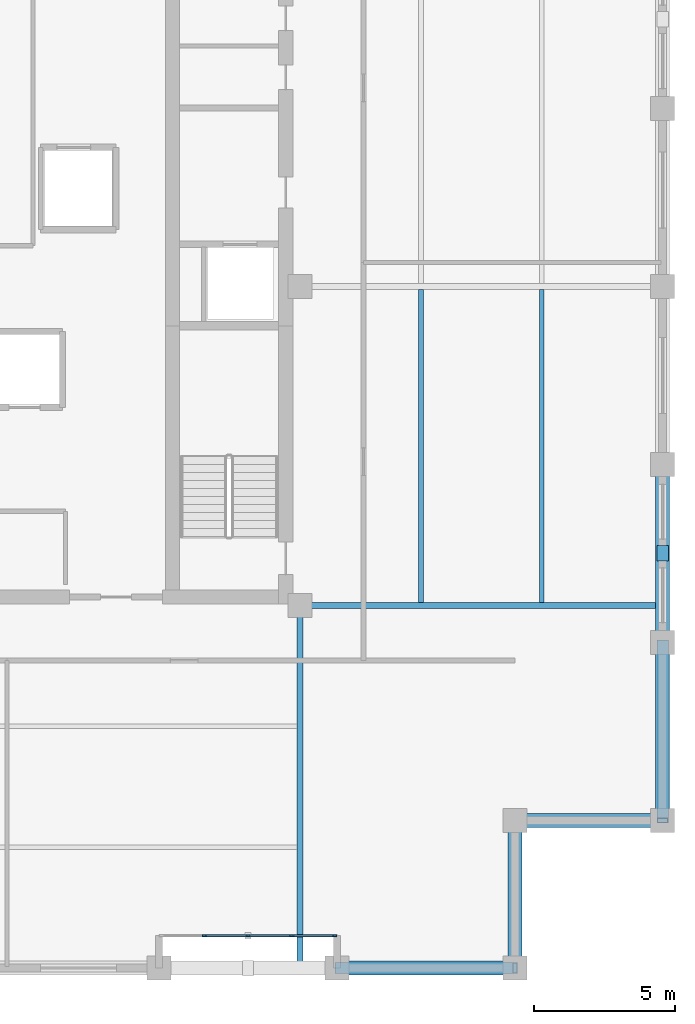
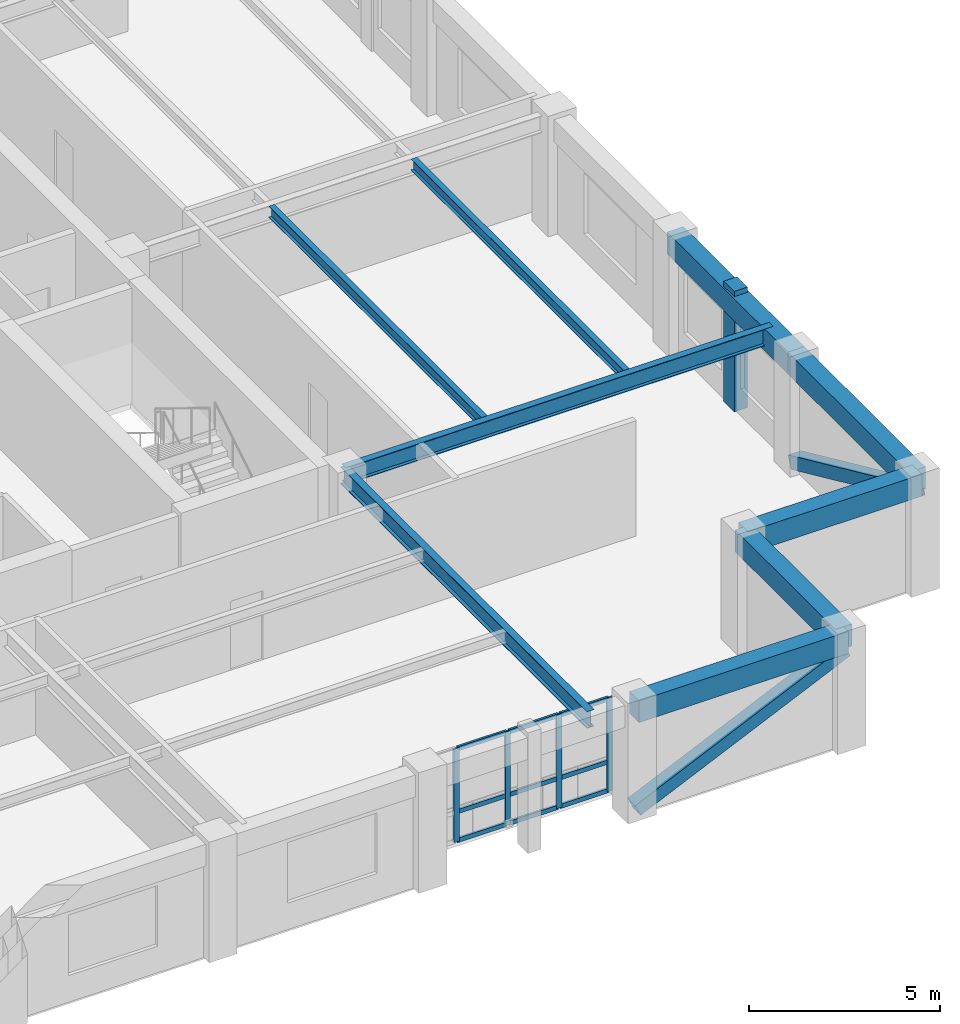
# One storey, part 4 of 10: 16 members, 9 beams, 1 element without a shape of its own.
"""IFC4 building model written with IfcOpenShell, lengths in metres."""

from ifc_helpers import new_model, si_unit, direction, frame, origin, origin_2d, place, context, subcontext, project, spatial, rectangle, hollow_rectangle, i_section, extrude, material, layer, layer_set, material_profile, profile_set, type_object, element, aggregate, save


model = new_model("IFC4")

# Units and contexts
model_context = context("Model", 3, precision=1e-05, world=origin(), true_north=direction((0.0, 1.0)))
body_context = subcontext(model_context, "Body", "Model", "MODEL_VIEW")
ifc_project = project(units=[si_unit("LENGTHUNIT", "METRE"), si_unit("AREAUNIT", "SQUARE_METRE"), si_unit("VOLUMEUNIT", "CUBIC_METRE"), si_unit("PLANEANGLEUNIT", "RADIAN"), si_unit("MASSUNIT", "GRAM", prefix="KILO")], contexts=[model_context])

# Site, building, storey
site_placement = place(None, origin())
site = spatial("IfcSite", under=ifc_project, at=site_placement, CompositionType="ELEMENT")
building_placement = place(site_placement, origin())
building = spatial("IfcBuilding", under=site, at=building_placement, Name="Nhamokura Convention Tower", CompositionType="ELEMENT")
storey_placement = place(building_placement, frame((0.0, 0.0, 210.0)))
storey = spatial("IfcBuildingStorey", under=building, at=storey_placement, Name="L51", CompositionType="ELEMENT", Elevation=210.0)

# Member
ifc_material_1 = material(Name="Bronze-pigmented precast concrete C45/55", Category="concrete")
ifc_material_profile_1 = material_profile(ifc_material_1, rectangle(XDim=0.39990234375, YDim=0.550048828125, at=origin_2d()))
ifc_profile_set_1 = profile_set([ifc_material_profile_1], Name="Bronze-pigmented precast concrete C45/55")
member_type_1 = type_object("IfcMemberType", Name="BronzePilaster_550", PredefinedType="USERDEFINED", material=ifc_profile_set_1)
member_1_placement = place(storey_placement, frame((56.25, 22.5, 0.0), z_axis=(0.0, 0.0, 1.0), x_axis=(1.0, 0.0, 0.0)))
element("IfcMember", 1, at=member_1_placement, inside=storey, type_object=member_type_1, Name="L51 Engaged Frame Pilaster EAST 1", ObjectType="PILASTER_TRIM", PredefinedType="USERDEFINED", context=body_context, shape_type="SweptSolid", body=[
    extrude(rectangle(XDim=0.39990234375, YDim=0.550048828125, at=origin_2d()), origin(), (0.0, 0.0, 1.0), 3.85009765625),
])

# Curtain wall, members
ifc_material_2 = material(Name="Anodised bronze aluminium AA6063-T6", Category="aluminium")
ifc_layer = layer(ifc_material_2, 0.155029296875)
ifc_layer_set = layer_set([ifc_layer], Name="CWSystem_ScaleSlot_Zone3")
curtain_wall_type = type_object("IfcCurtainWallType", Name="CWSystem_ScaleSlot_Zone3", PredefinedType="NOTDEFINED", material=ifc_layer_set)
curtain_wall_placement = place(storey_placement, origin())
curtain_wall = element("IfcCurtainWall", 2, at=curtain_wall_placement, inside=storey, type_object=curtain_wall_type, Name="L51 Curtain Wall ENV-L51-SLOT-S4", PredefinedType="NOTDEFINED")
ifc_material_3 = material(Name="Anodised bronze aluminium AA6063-T6", Category="aluminium")
ifc_material_profile_2 = material_profile(ifc_material_3, rectangle(XDim=0.06494140625, YDim=0.1650390625, at=origin_2d()))
ifc_profile_set_2 = profile_set([ifc_material_profile_2], Name="Anodised bronze aluminium AA6063-T6")
member_type_2 = type_object("IfcMemberType", Name="CWMullion_3", PredefinedType="MULLION", material=ifc_profile_set_2)
member_2_placement = place(storey_placement, frame((44.57421875, 8.89990234375, 0.0), z_axis=(0.0, 0.0, 1.0), x_axis=(0.0, -1.0, 0.0)))
member_2 = element("IfcMember", 3, at=member_2_placement, type_object=member_type_2, Name="CW-05 mullion 1", PredefinedType="MULLION", context=body_context, shape_type="SweptSolid", body=[
    extrude(rectangle(XDim=0.06494140625, YDim=0.1650390625, at=origin_2d()), origin(), (0.0, 0.0, 1.0), 2.985107421875),
])
member_3_placement = place(storey_placement, frame((43.053466796875, 8.89990234375, 0.0), z_axis=(0.0, 0.0, 1.0), x_axis=(0.0, -1.0, 0.0)))
member_3 = element("IfcMember", 4, at=member_3_placement, type_object=member_type_2, Name="CW-05 mullion 2", PredefinedType="MULLION", context=body_context, shape_type="SweptSolid", body=[
    extrude(rectangle(XDim=0.06494140625, YDim=0.1650390625, at=origin_2d()), origin(), (0.0, 0.0, 1.0), 2.985107421875),
])
member_4_placement = place(storey_placement, frame((41.5, 8.89990234375, 0.0), z_axis=(0.0, 0.0, 1.0), x_axis=(0.0, -1.0, 0.0)))
member_4 = element("IfcMember", 5, at=member_4_placement, type_object=member_type_2, Name="CW-05 mullion 3", PredefinedType="MULLION", context=body_context, shape_type="SweptSolid", body=[
    extrude(rectangle(XDim=0.06494140625, YDim=0.1650390625, at=origin_2d()), origin(), (0.0, 0.0, 1.0), 2.985107421875),
])
member_5_placement = place(storey_placement, frame((39.946533203125, 8.89990234375, 0.0), z_axis=(0.0, 0.0, 1.0), x_axis=(0.0, -1.0, 0.0)))
member_5 = element("IfcMember", 6, at=member_5_placement, type_object=member_type_2, Name="CW-05 mullion 4", PredefinedType="MULLION", context=body_context, shape_type="SweptSolid", body=[
    extrude(rectangle(XDim=0.06494140625, YDim=0.1650390625, at=origin_2d()), origin(), (0.0, 0.0, 1.0), 2.985107421875),
])
ifc_material_4 = material(Name="Anodised bronze aluminium AA6063-T6", Category="aluminium")
ifc_material_profile_3 = material_profile(ifc_material_4, rectangle(XDim=0.06494140625, YDim=0.139892578125, at=origin_2d()))
ifc_profile_set_3 = profile_set([ifc_material_profile_3], Name="Anodised bronze aluminium AA6063-T6")
member_type_3 = type_object("IfcMemberType", Name="CWTransom_3", PredefinedType="USERDEFINED", material=ifc_profile_set_3)
member_6_placement = place(storey_placement, frame((44.541748046875, 8.89990234375, 0.032470703125), z_axis=(-1.0, 0.0, 0.0), x_axis=(0.0, -1.0, 0.0)))
member_6 = element("IfcMember", 7, at=member_6_placement, type_object=member_type_3, Name="CW-05 transom 1.1", ObjectType="TRANSOM", PredefinedType="USERDEFINED", context=body_context, shape_type="SweptSolid", body=[
    extrude(rectangle(XDim=0.06494140625, YDim=0.139892578125, at=origin_2d()), origin(), (0.0, 0.0, 1.0), 1.455810546875),
])
member_7_placement = place(storey_placement, frame((44.541748046875, 8.89990234375, 0.949951171875), z_axis=(-1.0, 0.0, 0.0), x_axis=(0.0, -1.0, 0.0)))
member_7 = element("IfcMember", 8, at=member_7_placement, type_object=member_type_3, Name="CW-05 transom 1.2", ObjectType="TRANSOM", PredefinedType="USERDEFINED", context=body_context, shape_type="SweptSolid", body=[
    extrude(rectangle(XDim=0.06494140625, YDim=0.139892578125, at=origin_2d()), origin(), (0.0, 0.0, 1.0), 1.455810546875),
])
member_8_placement = place(storey_placement, frame((44.541748046875, 8.89990234375, 2.952392578125), z_axis=(-1.0, 0.0, 0.0), x_axis=(0.0, -1.0, 0.0)))
member_8 = element("IfcMember", 9, at=member_8_placement, type_object=member_type_3, Name="CW-05 transom 1.3", ObjectType="TRANSOM", PredefinedType="USERDEFINED", context=body_context, shape_type="SweptSolid", body=[
    extrude(rectangle(XDim=0.06494140625, YDim=0.139892578125, at=origin_2d()), origin(), (0.0, 0.0, 1.0), 1.455810546875),
])
member_9_placement = place(storey_placement, frame((43.020751953125, 8.89990234375, 0.032470703125), z_axis=(-1.0, 0.0, 0.0), x_axis=(0.0, -1.0, 0.0)))
member_9 = element("IfcMember", 10, at=member_9_placement, type_object=member_type_3, Name="CW-05 transom 2.1", ObjectType="TRANSOM", PredefinedType="USERDEFINED", context=body_context, shape_type="SweptSolid", body=[
    extrude(rectangle(XDim=0.06494140625, YDim=0.139892578125, at=origin_2d()), origin(), (0.0, 0.0, 1.0), 1.48828125),
])
member_10_placement = place(storey_placement, frame((43.020751953125, 8.89990234375, 0.949951171875), z_axis=(-1.0, 0.0, 0.0), x_axis=(0.0, -1.0, 0.0)))
member_10 = element("IfcMember", 11, at=member_10_placement, type_object=member_type_3, Name="CW-05 transom 2.2", ObjectType="TRANSOM", PredefinedType="USERDEFINED", context=body_context, shape_type="SweptSolid", body=[
    extrude(rectangle(XDim=0.06494140625, YDim=0.139892578125, at=origin_2d()), origin(), (0.0, 0.0, 1.0), 1.48828125),
])
member_11_placement = place(storey_placement, frame((43.020751953125, 8.89990234375, 2.952392578125), z_axis=(-1.0, 0.0, 0.0), x_axis=(0.0, -1.0, 0.0)))
member_11 = element("IfcMember", 12, at=member_11_placement, type_object=member_type_3, Name="CW-05 transom 2.3", ObjectType="TRANSOM", PredefinedType="USERDEFINED", context=body_context, shape_type="SweptSolid", body=[
    extrude(rectangle(XDim=0.06494140625, YDim=0.139892578125, at=origin_2d()), origin(), (0.0, 0.0, 1.0), 1.48828125),
])
member_12_placement = place(storey_placement, frame((41.467529296875, 8.89990234375, 0.032470703125), z_axis=(-1.0, 0.0, 0.0), x_axis=(0.0, -1.0, 0.0)))
member_12 = element("IfcMember", 13, at=member_12_placement, type_object=member_type_3, Name="CW-05 transom 3.1", ObjectType="TRANSOM", PredefinedType="USERDEFINED", context=body_context, shape_type="SweptSolid", body=[
    extrude(rectangle(XDim=0.06494140625, YDim=0.139892578125, at=origin_2d()), origin(), (0.0, 0.0, 1.0), 1.48828125),
])
member_13_placement = place(storey_placement, frame((41.467529296875, 8.89990234375, 0.949951171875), z_axis=(-1.0, 0.0, 0.0), x_axis=(0.0, -1.0, 0.0)))
member_13 = element("IfcMember", 14, at=member_13_placement, type_object=member_type_3, Name="CW-05 transom 3.2", ObjectType="TRANSOM", PredefinedType="USERDEFINED", context=body_context, shape_type="SweptSolid", body=[
    extrude(rectangle(XDim=0.06494140625, YDim=0.139892578125, at=origin_2d()), origin(), (0.0, 0.0, 1.0), 1.48828125),
])
member_14_placement = place(storey_placement, frame((41.467529296875, 8.89990234375, 2.952392578125), z_axis=(-1.0, 0.0, 0.0), x_axis=(0.0, -1.0, 0.0)))
member_14 = element("IfcMember", 15, at=member_14_placement, type_object=member_type_3, Name="CW-05 transom 3.3", ObjectType="TRANSOM", PredefinedType="USERDEFINED", context=body_context, shape_type="SweptSolid", body=[
    extrude(rectangle(XDim=0.06494140625, YDim=0.139892578125, at=origin_2d()), origin(), (0.0, 0.0, 1.0), 1.48828125),
])
aggregate(curtain_wall, [member_2, member_3, member_4, member_5, member_6, member_7, member_8, member_9, member_10, member_11, member_12, member_13, member_14])

# Beams
ifc_material_5 = material(Name="Steel ASTM A992 Gr 50", Category="steel")
ifc_material_profile_4 = material_profile(ifc_material_5, i_section(OverallWidth=0.172119140625, OverallDepth=0.35791015625, WebThickness=0.0078125, FlangeThickness=0.01318359375, at=origin_2d()))
ifc_profile_set_4 = profile_set([ifc_material_profile_4], Name="Steel ASTM A992 Gr 50")
beam_type_1 = type_object("IfcBeamType", Name="FloorJoist_W360X57", PredefinedType="JOIST", material=ifc_profile_set_4)
for number, where, z_axis, x_axis, name in (
    (16, (47.64990234375, 20.75341796875, 3.506103515625), (0.0, 1.0, 0.0), (-1.0, 0.0, 0.0), "L51 Composite Floor Joist E1A"),
    (17, (51.949951171875, 20.75341796875, 3.506103515625), (0.0, 1.0, 0.0), (-1.0, 0.0, 0.0), "L51 Composite Floor Joist E2A"),
):
    element("IfcBeam", number, at=place(storey_placement, frame(where, z_axis=z_axis, x_axis=x_axis)), inside=storey, type_object=beam_type_1, Name=name, PredefinedType="JOIST", context=body_context, shape_type="SweptSolid", body=[
        extrude(i_section(OverallWidth=0.172119140625, OverallDepth=0.35791015625, WebThickness=0.0078125, FlangeThickness=0.01318359375, at=origin_2d()), origin(), (0.0, 0.0, 1.0), 11.14306640625),
    ])
ifc_material_6 = material(Name="Steel ASTM A992 Gr 50", Category="steel")
ifc_material_profile_5 = material_profile(ifc_material_6, i_section(OverallWidth=0.2109375, OverallDepth=0.5390625, WebThickness=0.01171875, FlangeThickness=0.018798828125, at=origin_2d()))
ifc_profile_set_5 = profile_set([ifc_material_profile_5], Name="Steel ASTM A992 Gr 50")
beam_type_2 = type_object("IfcBeamType", Name="PrimaryGirder_W530X109", PredefinedType="BEAM", material=ifc_profile_set_5)
for number, where, z_axis, x_axis, name in (
    (18, (43.35009765625, 7.75, 3.41552734375), (0.0, 1.0, 0.0), (-1.0, 0.0, 0.0), "L51 Primary Floor Girder PG-S3"),
    (19, (43.35009765625, 20.64990234375, 3.41552734375), (1.0, 0.0, 0.0), (0.0, 1.0, 0.0), "L51 Primary Floor Girder PG-E1"),
):
    element("IfcBeam", number, at=place(storey_placement, frame(where, z_axis=z_axis, x_axis=x_axis)), inside=storey, type_object=beam_type_2, Name=name, PredefinedType="BEAM", context=body_context, shape_type="SweptSolid", body=[
        extrude(i_section(OverallWidth=0.2109375, OverallDepth=0.5390625, WebThickness=0.01171875, FlangeThickness=0.018798828125, at=origin_2d()), origin(), (0.0, 0.0, 1.0), 12.89990234375),
    ])

# Members
ifc_material_7 = material(Name="Steel ASTM A572 Gr 50", Category="steel")
ifc_material_profile_6 = material_profile(ifc_material_7, hollow_rectangle(XDim=0.39990234375, YDim=0.39990234375, WallThickness=0.02001953125, at=origin_2d()))
ifc_profile_set_6 = profile_set([ifc_material_profile_6], Name="Steel ASTM A572 Gr 50")
member_type_4 = type_object("IfcMemberType", Name="TubeBrace_HSS400", PredefinedType="BRACE", material=ifc_profile_set_6)
for number, where, z_axis, x_axis, name in (
    (20, (44.666748046875, 7.75, 0.14990234375), (0.910027379678, 0.0, 0.41454814948), (0.0, 1.0, 0.0), "L51 Perimeter Tube Brace SOUTH Bay 5"),
    (21, (56.25, 19.333251953125, 0.14990234375), (0.0, -0.910027379678, 0.41454814948), (1.0, 0.0, 0.0), "L51 Perimeter Tube Brace EAST Bay 0"),
):
    element("IfcMember", number, at=place(storey_placement, frame(where, z_axis=z_axis, x_axis=x_axis)), inside=storey, type_object=member_type_4, Name=name, PredefinedType="BRACE", context=body_context, shape_type="SweptSolid", body=[
        extrude(hollow_rectangle(XDim=0.39990234375, YDim=0.39990234375, WallThickness=0.02001953125, at=origin_2d()), origin(), (0.0, 0.0, 1.0), 6.95947265625),
    ])

# Beams
ifc_material_8 = material(Name="Concrete C50/60", Category="concrete")
ifc_material_profile_7 = material_profile(ifc_material_8, rectangle(XDim=0.5, YDim=0.699951171875, at=origin_2d()))
ifc_profile_set_7 = profile_set([ifc_material_profile_7], Name="Concrete C50/60")
beam_type_3 = type_object("IfcBeamType", Name="TubeSpandrel_700", PredefinedType="SPANDREL", material=ifc_profile_set_7)
for number, where, z_axis, x_axis, name in (
    (22, (44.666748046875, 7.75, 3.3349609375), (1.0, 0.0, 0.0), (0.0, 1.0, 0.0), "L51 Perimeter Spandrel SOUTH 6"),
    (23, (56.25, 13.0, 3.3349609375), (0.0, 1.0, 0.0), (-1.0, 0.0, 0.0), "L51 Perimeter Spandrel EAST 1"),
):
    element("IfcBeam", number, at=place(storey_placement, frame(where, z_axis=z_axis, x_axis=x_axis)), inside=storey, type_object=beam_type_3, Name=name, PredefinedType="SPANDREL", context=body_context, shape_type="SweptSolid", body=[
        extrude(rectangle(XDim=0.5, YDim=0.699951171875, at=origin_2d()), origin(), (0.0, 0.0, 1.0), 6.333251953125),
    ])
beam_placement = place(storey_placement, frame((56.25, 19.333251953125, 3.3349609375), z_axis=(0.0, 1.0, 0.0), x_axis=(-1.0, 0.0, 0.0)))
element("IfcBeam", 24, at=beam_placement, inside=storey, type_object=beam_type_3, Name="L51 Perimeter Spandrel EAST 2", PredefinedType="SPANDREL", context=body_context, shape_type="SweptSolid", body=[
    extrude(rectangle(XDim=0.5, YDim=0.699951171875, at=origin_2d()), origin(), (0.0, 0.0, 1.0), 6.33349609375),
])
for number, where, z_axis, x_axis, name in (
    (25, (51.0, 7.75, 3.3349609375), (0.0, 1.0, 0.0), (-1.0, 0.0, 0.0), "L51 Notch Spandrel SE1"),
    (26, (51.0, 13.0, 3.3349609375), (1.0, 0.0, 0.0), (0.0, 1.0, 0.0), "L51 Notch Spandrel SE2"),
):
    element("IfcBeam", number, at=place(storey_placement, frame(where, z_axis=z_axis, x_axis=x_axis)), inside=storey, type_object=beam_type_3, Name=name, PredefinedType="SPANDREL", context=body_context, shape_type="SweptSolid", body=[
        extrude(rectangle(XDim=0.5, YDim=0.699951171875, at=origin_2d()), origin(), (0.0, 0.0, 1.0), 5.25),
    ])

save(model, "model.ifc")
